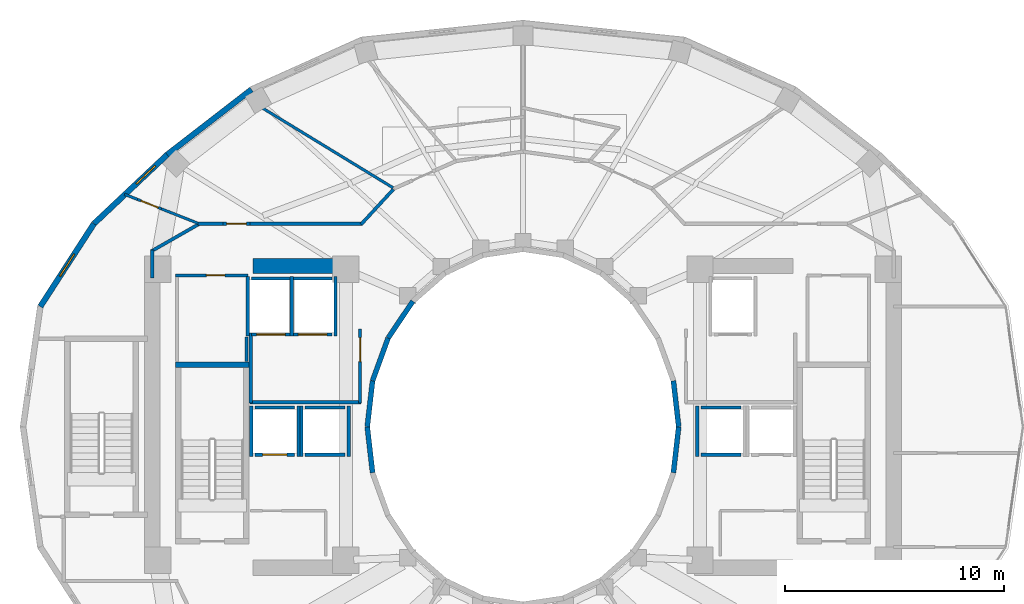
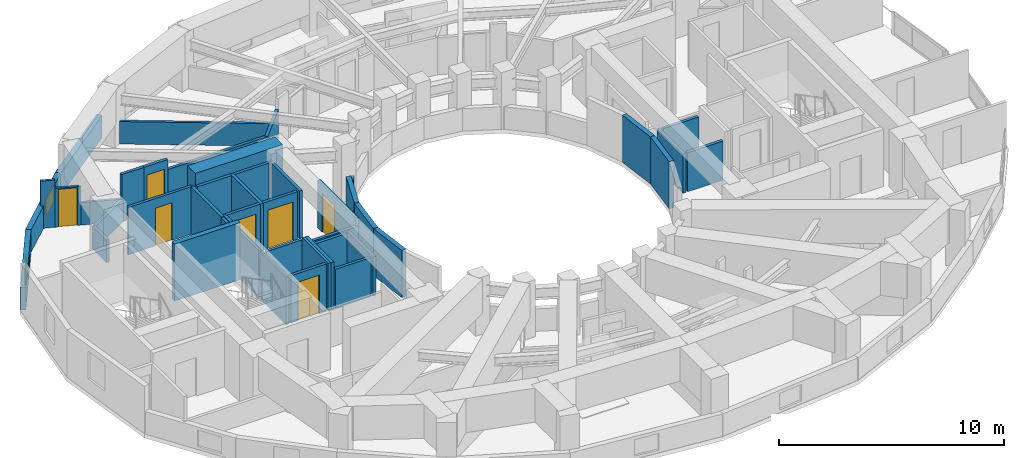
# One storey, part 7 of 13: 44 walls, 7 doors, 2 windows, 9 openings.
"""IFC4 building model written with IfcOpenShell, lengths in metres."""

from ifc_helpers import new_model, si_unit, direction, frame, frame_2d, origin, place, context, subcontext, project, spatial, rectangle, extrude, material, layer, layer_set, type_object, element, fill, save


model = new_model("IFC4")

# Units and contexts
model_context = context("Model", 3, precision=1e-05, world=origin(), true_north=direction((0.0, 1.0)))
body_context = subcontext(model_context, "Body", "Model", "MODEL_VIEW")
ifc_project = project(units=[si_unit("LENGTHUNIT", "METRE"), si_unit("AREAUNIT", "SQUARE_METRE"), si_unit("VOLUMEUNIT", "CUBIC_METRE"), si_unit("PLANEANGLEUNIT", "RADIAN"), si_unit("MASSUNIT", "GRAM", prefix="KILO")], contexts=[model_context])

# Site, building, storey
site_placement = place(None, origin())
site = spatial("IfcSite", under=ifc_project, at=site_placement, CompositionType="ELEMENT")
building_placement = place(site_placement, origin())
building = spatial("IfcBuilding", under=site, at=building_placement, Name="Solvane Sanctuary Tower", CompositionType="ELEMENT")
storey_placement = place(building_placement, frame((0.0, 0.0, 149.800048828125)))
storey = spatial("IfcBuildingStorey", under=building, at=storey_placement, Name="L45", CompositionType="ELEMENT", Elevation=149.800048828125)

# Walls
ifc_material_1 = material(Name="Concrete C60/75", Category="concrete")
ifc_layer_1 = layer(ifc_material_1, 0.699951171875, Name="Concrete C60/75")
ifc_layer_set_1 = layer_set([ifc_layer_1], Name="Concrete C60/75")
wall_type_1 = type_object("IfcWallType", Name="Wall W-CORE-700", PredefinedType="SHEAR", material=ifc_layer_set_1)
wall_1_placement = place(storey_placement, frame((19.64990234375, 30.35009765625, 0.0), z_axis=(0.0, 0.0, 1.0), x_axis=(1.0, 0.0, 0.0)))
element("IfcWall", 1, at=wall_1_placement, inside=storey, type_object=wall_type_1, Name="L45 Core Shear Wall WC-N", PredefinedType="SHEAR", context=body_context, shape_type="SweptSolid", body=[
    extrude(rectangle(XDim=4.5, YDim=0.699951171875, at=frame_2d((2.25, 0.0))), origin(), (0.0, 0.0, 1.0), 3.099853515625),
])
ifc_material_2 = material(Name="Acoustic Gypsum Partition Board")
ifc_layer_2 = layer(ifc_material_2, 0.14990234375, Name="Acoustic Gypsum Partition Board")
ifc_layer_set_2 = layer_set([ifc_layer_2], Name="Acoustic Gypsum Partition Board")
wall_type_2 = type_object("IfcWallType", Name="Wall W-CORR-150", PredefinedType="PARTITIONING", material=ifc_layer_set_2)
wall_2_placement = place(storey_placement, frame((19.52001953125, 24.1201171875, 0.0), z_axis=(0.0, 0.0, 1.0), x_axis=(1.0, 0.0, 0.0)))
element("IfcWall", 2, at=wall_2_placement, inside=storey, type_object=wall_type_2, Name="L45 West Firefighting Lobby South Wall", PredefinedType="PARTITIONING", context=body_context, shape_type="SweptSolid", body=[
    extrude(rectangle(XDim=5.080078125, YDim=0.14990234375, at=frame_2d((2.5400390625, 0.0))), origin(), (0.0, 0.0, 1.0), 2.119873046875),
])
wall_3_placement = place(storey_placement, frame((19.550048828125, 24.080078125, 0.0), z_axis=(0.0, 0.0, 1.0), x_axis=(0.0, 1.0, 0.0)))
element("IfcWall", 3, at=wall_3_placement, inside=storey, type_object=wall_type_2, Name="L45 West Firefighting Lobby West Wall", PredefinedType="PARTITIONING", context=body_context, shape_type="SweptSolid", body=[
    extrude(rectangle(XDim=3.199951171875, YDim=0.14990234375, at=frame_2d((1.60009765625, 0.0))), origin(), (0.0, 0.0, 1.0), 2.574951171875),
])

# Wall, opening, door
wall_4_placement = place(storey_placement, frame((24.550048828125, 24.080078125, 0.0), z_axis=(0.0, 0.0, 1.0), x_axis=(0.0, 1.0, 0.0)))
wall_4 = element("IfcWall", 4, at=wall_4_placement, inside=storey, type_object=wall_type_2, Name="L45 West Firefighting Lobby East Wall", PredefinedType="PARTITIONING", context=body_context, shape_type="SweptSolid", body=[
    extrude(rectangle(XDim=3.39990234375, YDim=0.14990234375, at=frame_2d((1.699951171875, 0.0))), origin(), (0.0, 0.0, 1.0), 2.574951171875),
])
opening_1_placement = place(wall_4_placement, frame((1.893798828125, 0.0, 0.0)))
opening_1 = element("IfcOpeningElement", 5, at=opening_1_placement, cuts=wall_4, Name="Opening D-L45-04", PredefinedType="OPENING", context=body_context, shape_type="SweptSolid", body=[
    extrude(rectangle(XDim=1.10009765625, YDim=2.10009765625, at=frame_2d((0.550048828125, 1.050048828125))), frame((0.0, 0.0849609375, 0.0), z_axis=(0.0, -1.0, 0.0), x_axis=(1.0, 0.0, 0.0)), (0.0, 0.0, 1.0), 0.169921875),
])
ifc_material_3 = material(Name="Architectural Stainless Steel 316", Category="steel")
door_type_1 = type_object("IfcDoorType", Name="Door D-FFL", OperationType="NOTDEFINED", PredefinedType="DOOR", material=ifc_material_3)
door_1_placement = place(opening_1_placement, origin())
door_1 = element("IfcDoor", 6, at=door_1_placement, inside=storey, type_object=door_type_1, Name="L45 West Firefighting Lobby Fire Door", OperationType="SINGLE_SWING_RIGHT", OverallHeight=2.10009765625, OverallWidth=1.10009765625, PredefinedType="DOOR", context=body_context, shape_type="SweptSolid", body=[
    extrude(rectangle(XDim=1.10009765625, YDim=2.10009765625, at=frame_2d((0.550048828125, 1.050048828125))), frame((0.0, 0.02490234375, 0.0), z_axis=(0.0, -1.0, 0.0), x_axis=(1.0, 0.0, 0.0)), (0.0, 0.0, 1.0), 0.050048828125),
])
fill(opening_1, door_1)

# Walls
wall_5_placement = place(storey_placement, frame((15.050048828125, 29.800048828125, 0.0), z_axis=(0.0, 0.0, 1.0), x_axis=(0.0, 1.0, 0.0)))
element("IfcWall", 7, at=wall_5_placement, inside=storey, type_object=wall_type_2, Name="L45 NW Corner Closer 2", PredefinedType="PARTITIONING", context=body_context, shape_type="SweptSolid", body=[
    extrude(rectangle(XDim=1.2900390625, YDim=0.14990234375, at=frame_2d((0.64501953125, 0.0))), origin(), (0.0, 0.0, 1.0), 1.219970703125),
])
wall_6_placement = place(storey_placement, frame((26.07177734375, 33.855712890625, 0.0), z_axis=(0.0, 0.0, 1.0), x_axis=(-0.677579737957, -0.735449317567, 0.0)))
element("IfcWall", 8, at=wall_6_placement, inside=storey, type_object=wall_type_2, Name="L45 NW Corner Throat Wall", PredefinedType="PARTITIONING", context=body_context, shape_type="SweptSolid", body=[
    extrude(rectangle(XDim=2.172607421875, YDim=0.14990234375, at=frame_2d((1.08642578125, 0.0))), origin(), (0.0, 0.0, 1.0), 2.01904296875),
])
wall_7_placement = place(storey_placement, frame((17.14990234375, 32.280029296875, 0.0), z_axis=(0.0, 0.0, 1.0), x_axis=(1.0, 0.0, 0.0)))
element("IfcWall", 9, at=wall_7_placement, inside=storey, type_object=wall_type_2, Name="L45 NW Corner Corridor Wall", PredefinedType="PARTITIONING", context=body_context, shape_type="SweptSolid", body=[
    extrude(rectangle(XDim=1.14013671875, YDim=0.14990234375, at=frame_2d((0.570068359375, 0.0))), origin(), (0.0, 0.0, 1.0), 2.574951171875),
])

# Wall, opening, door
wall_8_placement = place(storey_placement, frame((18.2900390625, 32.280029296875, 0.0), z_axis=(0.0, 0.0, 1.0), x_axis=(1.0, 0.0, 0.0)))
wall_8 = element("IfcWall", 10, at=wall_8_placement, inside=storey, type_object=wall_type_2, Name="L45 NW Corner Corridor Wall", PredefinedType="PARTITIONING", context=body_context, shape_type="SweptSolid", body=[
    extrude(rectangle(XDim=1.219970703125, YDim=0.14990234375, at=frame_2d((0.60986328125, 0.0))), origin(), (0.0, 0.0, 1.0), 2.574951171875),
])
opening_2_placement = place(wall_8_placement, frame((0.159912109375, 0.0, 0.0)))
opening_2 = element("IfcOpeningElement", 11, at=opening_2_placement, cuts=wall_8, Name="Opening D-L45-15", PredefinedType="OPENING", context=body_context, shape_type="SweptSolid", body=[
    extrude(rectangle(XDim=0.89990234375, YDim=2.10009765625, at=frame_2d((0.449951171875, 1.050048828125))), frame((0.0, 0.0849609375, 0.0), z_axis=(0.0, -1.0, 0.0), x_axis=(1.0, 0.0, 0.0)), (0.0, 0.0, 1.0), 0.169921875),
])
ifc_material_4 = material(Name="Engineered Tropical Hardwood", Category="wood")
door_type_2 = type_object("IfcDoorType", Name="Door D-WET-900", OperationType="NOTDEFINED", PredefinedType="DOOR", material=ifc_material_4)
door_2_placement = place(opening_2_placement, origin())
door_2 = element("IfcDoor", 12, at=door_2_placement, inside=storey, type_object=door_type_2, Name="L45 NW Corner Salon Door", OperationType="SINGLE_SWING_LEFT", OverallHeight=2.10009765625, OverallWidth=0.89990234375, PredefinedType="DOOR", context=body_context, shape_type="SweptSolid", body=[
    extrude(rectangle(XDim=0.89990234375, YDim=2.10009765625, at=frame_2d((0.449951171875, 1.050048828125))), frame((0.0, 0.02490234375, 0.0), z_axis=(0.0, -1.0, 0.0), x_axis=(1.0, 0.0, 0.0)), (0.0, 0.0, 1.0), 0.050048828125),
])
fill(opening_2, door_2)

# Walls
wall_9_placement = place(storey_placement, frame((19.510009765625, 32.280029296875, 0.0), z_axis=(0.0, 0.0, 1.0), x_axis=(1.0, 0.0, 0.0)))
element("IfcWall", 13, at=wall_9_placement, inside=storey, type_object=wall_type_2, Name="L45 NW Corner Corridor Wall", PredefinedType="PARTITIONING", context=body_context, shape_type="SweptSolid", body=[
    extrude(rectangle(XDim=5.159912109375, YDim=0.14990234375, at=frame_2d((2.580078125, 0.0))), origin(), (0.0, 0.0, 1.0), 2.01904296875),
])
wall_10_placement = place(storey_placement, frame((17.243408203125, 32.3046875, 0.0), z_axis=(0.0, 0.0, 1.0), x_axis=(-0.867991349648, -0.496579315857, 0.0)))
element("IfcWall", 14, at=wall_10_placement, inside=storey, type_object=wall_type_2, Name="L45 NW Corner Wing Wall", PredefinedType="PARTITIONING", context=body_context, shape_type="SweptSolid", body=[
    extrude(rectangle(XDim=2.56689453125, YDim=0.14990234375, at=frame_2d((1.283447265625, 0.0))), origin(), (0.0, 0.0, 1.0), 1.219970703125),
])
ifc_material_5 = material(Name="Precast concrete C40/50", Category="concrete")
ifc_layer_3 = layer(ifc_material_5, 0.260009765625, Name="Precast concrete C40/50")
ifc_layer_set_3 = layer_set([ifc_layer_3], Name="Precast concrete C40/50")
wall_type_3 = type_object("IfcWallType", Name="Wall W-EXT-250", PredefinedType="STANDARD", material=ifc_layer_set_3)
wall_11_placement = place(storey_placement, frame((19.5869140625, 38.41943359375, 0.0), z_axis=(0.0, 0.0, 1.0), x_axis=(-0.791460185804, -0.611220724687, 0.0)))
element("IfcWall", 15, at=wall_11_placement, inside=storey, type_object=wall_type_3, Name="L45 Ceramic-Printed Facade Wall 08", PredefinedType="STANDARD", context=body_context, shape_type="SweptSolid", body=[
    extrude(rectangle(XDim=4.872314453125, YDim=0.260009765625, at=frame_2d((2.43603515625, 0.0))), origin(), (0.0, 0.0, 1.0), 1.219970703125),
])

# Wall, opening, window
wall_12_placement = place(storey_placement, frame((15.730712890625, 35.44140625, 0.0), z_axis=(0.0, 0.0, 1.0), x_axis=(-0.727667301037, -0.68593024354, 0.0)))
wall_12 = element("IfcWall", 16, at=wall_12_placement, inside=storey, type_object=wall_type_3, Name="L45 Ceramic-Printed Facade Wall 09", PredefinedType="STANDARD", context=body_context, shape_type="SweptSolid", body=[
    extrude(rectangle(XDim=4.603515625, YDim=0.260009765625, at=frame_2d((2.3017578125, 0.0))), origin(), (0.0, 0.0, 1.0), 1.219970703125),
])
opening_3_placement = place(wall_12_placement, frame((0.75146484375, 0.0, 0.14990234375)))
opening_3 = element("IfcOpeningElement", 17, at=opening_3_placement, cuts=wall_12, Name="Opening WN-OPER-1200", PredefinedType="OPENING", context=body_context, shape_type="SweptSolid", body=[
    extrude(rectangle(XDim=1.199951171875, YDim=0.89990234375, at=frame_2d((0.60009765625, 0.449951171875))), frame((0.0, 0.139892578125, 0.0), z_axis=(0.0, -1.0, 0.0), x_axis=(1.0, 0.0, 0.0)), (0.0, 0.0, 1.0), 0.280029296875),
])
ifc_material_6 = material(Name="Dark Ceramic-Fritted Low-E Glass", Category="glass")
window_type = type_object("IfcWindowType", Name="Window WN-OPER-1200", PartitioningType="SINGLE_PANEL", PredefinedType="WINDOW", material=ifc_material_6)
window_1_placement = place(opening_3_placement, origin())
window_1 = element("IfcWindow", 18, at=window_1_placement, inside=storey, type_object=window_type, Name="L45 Operable Facade Window 09", OverallHeight=0.89990234375, OverallWidth=1.199951171875, PartitioningType="SINGLE_PANEL", PredefinedType="WINDOW", context=body_context, shape_type="SweptSolid", body=[
    extrude(rectangle(XDim=1.199951171875, YDim=0.89990234375, at=frame_2d((0.60009765625, 0.449951171875))), frame((0.0, 0.030029296875, 0.0), z_axis=(0.0, -1.0, 0.0), x_axis=(1.0, 0.0, 0.0)), (0.0, 0.0, 1.0), 0.06005859375),
])
fill(opening_3, window_1)

wall_13_placement = place(storey_placement, frame((12.380859375, 32.28369140625, 0.0), z_axis=(0.0, 0.0, 1.0), x_axis=(-0.543358984534, -0.839500454989, 0.0)))
wall_13 = element("IfcWall", 19, at=wall_13_placement, inside=storey, type_object=wall_type_3, Name="L45 Ceramic-Printed Facade Wall 10", PredefinedType="STANDARD", context=body_context, shape_type="SweptSolid", body=[
    extrude(rectangle(XDim=4.51123046875, YDim=0.260009765625, at=frame_2d((2.255615234375, 0.0))), origin(), (0.0, 0.0, 1.0), 1.219970703125),
])
opening_4_placement = place(wall_13_placement, frame((1.655517578125, 0.0, 0.14990234375)))
opening_4 = element("IfcOpeningElement", 20, at=opening_4_placement, cuts=wall_13, Name="Opening WN-OPER-1200", PredefinedType="OPENING", context=body_context, shape_type="SweptSolid", body=[
    extrude(rectangle(XDim=1.199951171875, YDim=0.89990234375, at=frame_2d((0.60009765625, 0.449951171875))), frame((0.0, 0.139892578125, 0.0), z_axis=(0.0, -1.0, 0.0), x_axis=(1.0, 0.0, 0.0)), (0.0, 0.0, 1.0), 0.280029296875),
])
window_2_placement = place(opening_4_placement, origin())
window_2 = element("IfcWindow", 21, at=window_2_placement, inside=storey, type_object=window_type, Name="L45 Operable Facade Window 10", OverallHeight=0.89990234375, OverallWidth=1.199951171875, PartitioningType="SINGLE_PANEL", PredefinedType="WINDOW", context=body_context, shape_type="SweptSolid", body=[
    extrude(rectangle(XDim=1.199951171875, YDim=0.89990234375, at=frame_2d((0.60009765625, 0.449951171875))), frame((0.0, 0.030029296875, 0.0), z_axis=(0.0, -1.0, 0.0), x_axis=(1.0, 0.0, 0.0)), (0.0, 0.0, 1.0), 0.06005859375),
])
fill(opening_4, window_2)

# Walls
ifc_layer_4 = layer(ifc_material_5, 0.22998046875, Name="Precast concrete C40/50")
ifc_layer_set_4 = layer_set([ifc_layer_4], Name="Precast concrete C40/50")
wall_type_4 = type_object("IfcWallType", Name="Wall W-EXT-SP220", PredefinedType="STANDARD", material=ifc_layer_set_4)
wall_14_placement = place(storey_placement, frame((39.1201171875, 23.0, 0.0), z_axis=(0.0, 0.0, 1.0), x_axis=(-0.114711713601, 0.993398823617, 0.0)))
element("IfcWall", 22, at=wall_14_placement, inside=storey, type_object=wall_type_4, Name="L45 Central Light-Well Wall 00", PredefinedType="STANDARD", context=body_context, shape_type="SweptSolid", body=[
    extrude(rectangle(XDim=2.115478515625, YDim=0.22998046875, at=frame_2d((1.0576171875, 0.0))), origin(), (0.0, 0.0, 1.0), 2.56005859375),
])
wall_15_placement = place(storey_placement, frame((26.96533203125, 28.74169921875, 0.0), z_axis=(0.0, 0.0, 1.0), x_axis=(-0.558197800898, -0.829707909492, 0.0)))
element("IfcWall", 23, at=wall_15_placement, inside=storey, type_object=wall_type_4, Name="L45 Central Light-Well Wall 09", PredefinedType="STANDARD", context=body_context, shape_type="SweptSolid", body=[
    extrude(rectangle(XDim=2.02685546875, YDim=0.22998046875, at=frame_2d((1.013427734375, 0.0))), origin(), (0.0, 0.0, 1.0), 1.219970703125),
])
wall_16_placement = place(storey_placement, frame((25.833984375, 27.06005859375, 0.0), z_axis=(0.0, 0.0, 1.0), x_axis=(-0.341423187295, -0.93990968033, 0.0)))
element("IfcWall", 24, at=wall_16_placement, inside=storey, type_object=wall_type_4, Name="L45 Central Light-Well Wall 10", PredefinedType="STANDARD", context=body_context, shape_type="SweptSolid", body=[
    extrude(rectangle(XDim=2.083740234375, YDim=0.22998046875, at=frame_2d((1.0419921875, 0.0))), origin(), (0.0, 0.0, 1.0), 2.56005859375),
])
for number, where, z_axis, x_axis, name in (
    (25, (25.12255859375, 25.1015625, 0.0), (0.0, 0.0, 1.0), (-0.114711713601, -0.993398823617, 0.0), "L45 Central Light-Well Wall 11"),
    (26, (24.8798828125, 23.0, 0.0), (0.0, 0.0, 1.0), (0.114711713601, -0.993398823617, 0.0), "L45 Central Light-Well Wall 12"),
    (27, (38.87744140625, 20.8984375, 0.0), (0.0, 0.0, 1.0), (0.114711713601, 0.993398823617, 0.0), "L45 Central Light-Well Wall 23"),
):
    element("IfcWall", number, at=place(storey_placement, frame(where, z_axis=z_axis, x_axis=x_axis)), inside=storey, type_object=wall_type_4, Name=name, PredefinedType="STANDARD", context=body_context, shape_type="SweptSolid", body=[
        extrude(rectangle(XDim=2.115478515625, YDim=0.22998046875, at=frame_2d((1.0576171875, 0.0))), origin(), (0.0, 0.0, 1.0), 2.56005859375),
    ])
ifc_layer_5 = layer(ifc_material_2, 0.1201171875, Name="Acoustic Gypsum Partition Board")
ifc_layer_set_5 = layer_set([ifc_layer_5], Name="Acoustic Gypsum Partition Board")
wall_type_5 = type_object("IfcWallType", Name="Wall W-MOV-100", PredefinedType="MOVABLE", material=ifc_layer_set_5)
wall_17_placement = place(storey_placement, frame((17.24658203125, 32.26171875, 0.0), z_axis=(0.0, 0.0, 1.0), x_axis=(-0.930227502765, 0.36698336897, 0.0)))
element("IfcWall", 28, at=wall_17_placement, inside=storey, type_object=wall_type_5, Name="L45 NW Corner Suite Partition", PredefinedType="MOVABLE", context=body_context, shape_type="SweptSolid", body=[
    extrude(rectangle(XDim=1.911865234375, YDim=0.1201171875, at=frame_2d((0.9560546875, 0.0))), origin(), (0.0, 0.0, 1.0), 1.219970703125),
])

# Wall, opening, door
wall_18_placement = place(storey_placement, frame((15.468017578125, 32.96337890625, 0.0), z_axis=(0.0, 0.0, 1.0), x_axis=(-0.93017960314, 0.367104761482, 0.0)))
wall_18 = element("IfcWall", 29, at=wall_18_placement, inside=storey, type_object=wall_type_5, Name="L45 NW Corner Suite Partition", PredefinedType="MOVABLE", context=body_context, shape_type="SweptSolid", body=[
    extrude(rectangle(XDim=1.169921875, YDim=0.1201171875, at=frame_2d((0.5849609375, 0.0))), origin(), (0.0, 0.0, 1.0), 2.10986328125),
])
opening_5_placement = place(wall_18_placement, frame((0.159912109375, 0.0, 0.0)))
opening_5 = element("IfcOpeningElement", 30, at=opening_5_placement, cuts=wall_18, Name="Opening D-L45-14", PredefinedType="OPENING", context=body_context, shape_type="SweptSolid", body=[
    extrude(rectangle(XDim=0.85009765625, YDim=2.050048828125, at=frame_2d((0.425048828125, 1.02490234375))), frame((0.0, 0.070068359375, 0.0), z_axis=(0.0, -1.0, 0.0), x_axis=(1.0, 0.0, 0.0)), (0.0, 0.0, 1.0), 0.14013671875),
])
door_type_3 = type_object("IfcDoorType", Name="Door D-RISER", OperationType="NOTDEFINED", PredefinedType="DOOR", material=ifc_material_3)
door_3_placement = place(opening_5_placement, origin())
door_3 = element("IfcDoor", 31, at=door_3_placement, inside=storey, type_object=door_type_3, Name="L45 NW Corner Suite Door", OperationType="SINGLE_SWING_RIGHT", OverallHeight=2.050048828125, OverallWidth=0.85009765625, PredefinedType="DOOR", context=body_context, shape_type="SweptSolid", body=[
    extrude(rectangle(XDim=0.85009765625, YDim=2.050048828125, at=frame_2d((0.425048828125, 1.02490234375))), frame((0.0, 0.02490234375, 0.0), z_axis=(0.0, -1.0, 0.0), x_axis=(1.0, 0.0, 0.0)), (0.0, 0.0, 1.0), 0.050048828125),
])
fill(opening_5, door_3)

# Walls
wall_19_placement = place(storey_placement, frame((14.3798828125, 33.392822265625, 0.0), z_axis=(0.0, 0.0, 1.0), x_axis=(-0.9301788827, 0.367106586945, 0.0)))
element("IfcWall", 32, at=wall_19_placement, inside=storey, type_object=wall_type_5, Name="L45 NW Corner Suite Partition", PredefinedType="MOVABLE", context=body_context, shape_type="SweptSolid", body=[
    extrude(rectangle(XDim=0.649169921875, YDim=0.1201171875, at=frame_2d((0.32470703125, 0.0))), origin(), (0.0, 0.0, 1.0), 2.574951171875),
])
ifc_layer_6 = layer(ifc_material_2, 0.125, Name="Acoustic Gypsum Partition Board")
ifc_layer_set_6 = layer_set([ifc_layer_6], Name="Acoustic Gypsum Partition Board")
wall_type_6 = type_object("IfcWallType", Name="Wall W-PART-125", PredefinedType="PARTITIONING", material=ifc_layer_set_6)
wall_20_placement = place(storey_placement, frame((26.06201171875, 33.925048828125, 0.0), z_axis=(0.0, 0.0, 1.0), x_axis=(-0.853440334679, 0.521190555501, 0.0)))
element("IfcWall", 33, at=wall_20_placement, inside=storey, type_object=wall_type_6, Name="L45 Radial Compartment Wall 120", PredefinedType="PARTITIONING", context=body_context, shape_type="SweptSolid", body=[
    extrude(rectangle(XDim=6.966064453125, YDim=0.125, at=frame_2d((3.48291015625, 0.0))), origin(), (0.0, 0.0, 1.0), 1.219970703125),
])

# Wall, opening, door
ifc_material_7 = material(Name="Concrete C50/60", Category="concrete")
ifc_layer_7 = layer(ifc_material_7, 0.14990234375, Name="Concrete C50/60")
ifc_layer_set_7 = layer_set([ifc_layer_7], Name="Concrete C50/60")
wall_type_7 = type_object("IfcWallType", Name="Wall W-SHAFT-150", PredefinedType="SOLIDWALL", material=ifc_layer_set_7)
wall_21_placement = place(storey_placement, frame((19.739990234375, 21.719970703125, 0.0), z_axis=(0.0, 0.0, 1.0), x_axis=(1.0, 0.0, 0.0)))
wall_21 = element("IfcWall", 34, at=wall_21_placement, inside=storey, type_object=wall_type_7, Name="L45 PM-1 Lift Shaft Wall F", PredefinedType="SOLIDWALL", context=body_context, shape_type="SweptSolid", body=[
    extrude(rectangle(XDim=1.820068359375, YDim=0.14990234375, at=frame_2d((0.91015625, 0.0))), origin(), (0.0, 0.0, 1.0), 2.574951171875),
])
opening_6_placement = place(wall_21_placement, frame((0.360107421875, 0.0, 0.0)))
opening_6 = element("IfcOpeningElement", 35, at=opening_6_placement, cuts=wall_21, Name="Opening LD-L45-01", PredefinedType="OPENING", context=body_context, shape_type="SweptSolid", body=[
    extrude(rectangle(XDim=1.10009765625, YDim=2.10009765625, at=frame_2d((0.550048828125, 1.050048828125))), frame((0.0, 0.0849609375, 0.0), z_axis=(0.0, -1.0, 0.0), x_axis=(1.0, 0.0, 0.0)), (0.0, 0.0, 1.0), 0.169921875),
])
door_type_4 = type_object("IfcDoorType", Name="Door LD-PASS-1100", OperationType="NOTDEFINED", PredefinedType="DOOR", material=ifc_material_3)
door_4_placement = place(opening_6_placement, origin())
door_4 = element("IfcDoor", 36, at=door_4_placement, inside=storey, type_object=door_type_4, Name="L45 PM-1 Lift Landing Door", OperationType="DOUBLE_DOOR_SLIDING", OverallHeight=2.10009765625, OverallWidth=1.10009765625, PredefinedType="DOOR", context=body_context, shape_type="SweptSolid", body=[
    extrude(rectangle(XDim=1.10009765625, YDim=2.10009765625, at=frame_2d((0.550048828125, 1.050048828125))), frame((0.0, 0.02490234375, 0.0), z_axis=(0.0, -1.0, 0.0), x_axis=(1.0, 0.0, 0.0)), (0.0, 0.0, 1.0), 0.050048828125),
])
fill(opening_6, door_4)

# Walls
wall_22_placement = place(storey_placement, frame((19.739990234375, 23.8798828125, 0.0), z_axis=(0.0, 0.0, 1.0), x_axis=(1.0, 0.0, 0.0)))
element("IfcWall", 37, at=wall_22_placement, inside=storey, type_object=wall_type_7, Name="L45 PM-1 Lift Shaft Wall B", PredefinedType="SOLIDWALL", context=body_context, shape_type="SweptSolid", body=[
    extrude(rectangle(XDim=1.820068359375, YDim=0.14990234375, at=frame_2d((0.91015625, 0.0))), origin(), (0.0, 0.0, 1.0), 2.574951171875),
])
for number, where, z_axis, x_axis, name in (
    (38, (19.570068359375, 21.639892578125, 0.0), (0.0, 0.0, 1.0), (0.0, 1.0, 0.0), "L45 PM-1 Lift Shaft Wall S1"),
    (39, (21.72998046875, 21.639892578125, 0.0), (0.0, 0.0, 1.0), (0.0, 1.0, 0.0), "L45 PM-1 Lift Shaft Wall S2"),
):
    element("IfcWall", number, at=place(storey_placement, frame(where, z_axis=z_axis, x_axis=x_axis)), inside=storey, type_object=wall_type_7, Name=name, PredefinedType="SOLIDWALL", context=body_context, shape_type="SweptSolid", body=[
        extrude(rectangle(XDim=2.320068359375, YDim=0.14990234375, at=frame_2d((1.16015625, 0.0))), origin(), (0.0, 0.0, 1.0), 2.574951171875),
    ])
for number, where, z_axis, x_axis, name in (
    (40, (22.0400390625, 21.719970703125, 0.0), (0.0, 0.0, 1.0), (1.0, 0.0, 0.0), "L45 PH-1 Lift Shaft Wall F"),
    (41, (22.0400390625, 23.8798828125, 0.0), (0.0, 0.0, 1.0), (1.0, 0.0, 0.0), "L45 PH-1 Lift Shaft Wall B"),
):
    element("IfcWall", number, at=place(storey_placement, frame(where, z_axis=z_axis, x_axis=x_axis)), inside=storey, type_object=wall_type_7, Name=name, PredefinedType="SOLIDWALL", context=body_context, shape_type="SweptSolid", body=[
        extrude(rectangle(XDim=1.820068359375, YDim=0.14990234375, at=frame_2d((0.91015625, 0.0))), origin(), (0.0, 0.0, 1.0), 2.119873046875),
    ])
wall_23_placement = place(storey_placement, frame((21.8701171875, 21.639892578125, 0.0), z_axis=(0.0, 0.0, 1.0), x_axis=(0.0, 1.0, 0.0)))
element("IfcWall", 42, at=wall_23_placement, inside=storey, type_object=wall_type_7, Name="L45 PH-1 Lift Shaft Wall S1", PredefinedType="SOLIDWALL", context=body_context, shape_type="SweptSolid", body=[
    extrude(rectangle(XDim=2.320068359375, YDim=0.14990234375, at=frame_2d((1.16015625, 0.0))), origin(), (0.0, 0.0, 1.0), 2.574951171875),
])
wall_24_placement = place(storey_placement, frame((24.030029296875, 21.639892578125, 0.0), z_axis=(0.0, 0.0, 1.0), x_axis=(0.0, 1.0, 0.0)))
element("IfcWall", 43, at=wall_24_placement, inside=storey, type_object=wall_type_7, Name="L45 PH-1 Lift Shaft Wall S2", PredefinedType="SOLIDWALL", context=body_context, shape_type="SweptSolid", body=[
    extrude(rectangle(XDim=2.320068359375, YDim=0.14990234375, at=frame_2d((1.16015625, 0.0))), origin(), (0.0, 0.0, 1.0), 2.119873046875),
])
for number, where, z_axis, x_axis, name in (
    (44, (40.139892578125, 21.719970703125, 0.0), (0.0, 0.0, 1.0), (1.0, 0.0, 0.0), "L45 PH-2 Lift Shaft Wall F"),
    (45, (40.139892578125, 23.8798828125, 0.0), (0.0, 0.0, 1.0), (1.0, 0.0, 0.0), "L45 PH-2 Lift Shaft Wall B"),
):
    element("IfcWall", number, at=place(storey_placement, frame(where, z_axis=z_axis, x_axis=x_axis)), inside=storey, type_object=wall_type_7, Name=name, PredefinedType="SOLIDWALL", context=body_context, shape_type="SweptSolid", body=[
        extrude(rectangle(XDim=1.820068359375, YDim=0.14990234375, at=frame_2d((0.91015625, 0.0))), origin(), (0.0, 0.0, 1.0), 2.119873046875),
    ])
wall_25_placement = place(storey_placement, frame((39.969970703125, 21.639892578125, 0.0), z_axis=(0.0, 0.0, 1.0), x_axis=(0.0, 1.0, 0.0)))
element("IfcWall", 46, at=wall_25_placement, inside=storey, type_object=wall_type_7, Name="L45 PH-2 Lift Shaft Wall S1", PredefinedType="SOLIDWALL", context=body_context, shape_type="SweptSolid", body=[
    extrude(rectangle(XDim=2.320068359375, YDim=0.14990234375, at=frame_2d((1.16015625, 0.0))), origin(), (0.0, 0.0, 1.0), 2.119873046875),
])

# Wall, opening, door
wall_26_placement = place(storey_placement, frame((19.590087890625, 27.219970703125, 0.0), z_axis=(0.0, 0.0, 1.0), x_axis=(1.0, 0.0, 0.0)))
wall_26 = element("IfcWall", 47, at=wall_26_placement, inside=storey, type_object=wall_type_7, Name="L45 FFL-1 Lift Shaft Wall F", PredefinedType="SOLIDWALL", context=body_context, shape_type="SweptSolid", body=[
    extrude(rectangle(XDim=1.760009765625, YDim=0.14990234375, at=frame_2d((0.8798828125, 0.0))), origin(), (0.0, 0.0, 1.0), 2.574951171875),
])
opening_7_placement = place(wall_26_placement, frame((0.22998046875, 0.0, 0.0)))
opening_7 = element("IfcOpeningElement", 48, at=opening_7_placement, cuts=wall_26, Name="Opening LD-L45-03", PredefinedType="OPENING", context=body_context, shape_type="SweptSolid", body=[
    extrude(rectangle(XDim=1.300048828125, YDim=2.10009765625, at=frame_2d((0.64990234375, 1.050048828125))), frame((0.0, 0.0849609375, 0.0), z_axis=(0.0, -1.0, 0.0), x_axis=(1.0, 0.0, 0.0)), (0.0, 0.0, 1.0), 0.169921875),
])
door_type_5 = type_object("IfcDoorType", Name="Door LD-FFL-1300", OperationType="NOTDEFINED", PredefinedType="DOOR", material=ifc_material_3)
door_5_placement = place(opening_7_placement, origin())
door_5 = element("IfcDoor", 49, at=door_5_placement, inside=storey, type_object=door_type_5, Name="L45 FFL-1 Lift Landing Door", OperationType="DOUBLE_DOOR_SLIDING", OverallHeight=2.10009765625, OverallWidth=1.300048828125, PredefinedType="DOOR", context=body_context, shape_type="SweptSolid", body=[
    extrude(rectangle(XDim=1.300048828125, YDim=2.10009765625, at=frame_2d((0.64990234375, 1.050048828125))), frame((0.0, 0.02490234375, 0.0), z_axis=(0.0, -1.0, 0.0), x_axis=(1.0, 0.0, 0.0)), (0.0, 0.0, 1.0), 0.050048828125),
])
fill(opening_7, door_5)

# Walls
wall_27_placement = place(storey_placement, frame((19.590087890625, 29.780029296875, 0.0), z_axis=(0.0, 0.0, 1.0), x_axis=(1.0, 0.0, 0.0)))
element("IfcWall", 50, at=wall_27_placement, inside=storey, type_object=wall_type_7, Name="L45 FFL-1 Lift Shaft Wall B", PredefinedType="SOLIDWALL", context=body_context, shape_type="SweptSolid", body=[
    extrude(rectangle(XDim=1.760009765625, YDim=0.14990234375, at=frame_2d((0.8798828125, 0.0))), origin(), (0.0, 0.0, 1.0), 2.574951171875),
])
for number, where, z_axis, x_axis, name in (
    (51, (19.419921875, 27.139892578125, 0.0), (0.0, 0.0, 1.0), (0.0, 1.0, 0.0), "L45 FFL-1 Lift Shaft Wall S1"),
    (52, (21.425048828125, 27.139892578125, 0.0), (0.0, 0.0, 1.0), (0.0, 1.0, 0.0), "L45 FFL-1 Lift Shaft Wall S2"),
):
    element("IfcWall", number, at=place(storey_placement, frame(where, z_axis=z_axis, x_axis=x_axis)), inside=storey, type_object=wall_type_7, Name=name, PredefinedType="SOLIDWALL", context=body_context, shape_type="SweptSolid", body=[
        extrude(rectangle(XDim=2.72021484375, YDim=0.14990234375, at=frame_2d((1.360107421875, 0.0))), origin(), (0.0, 0.0, 1.0), 2.574951171875),
    ])

# Wall, opening, door
wall_28_placement = place(storey_placement, frame((21.5, 27.219970703125, 0.0), z_axis=(0.0, 0.0, 1.0), x_axis=(1.0, 0.0, 0.0)))
wall_28 = element("IfcWall", 53, at=wall_28_placement, inside=storey, type_object=wall_type_7, Name="L45 SVL-1 Lift Shaft Wall F", PredefinedType="SOLIDWALL", context=body_context, shape_type="SweptSolid", body=[
    extrude(rectangle(XDim=1.760009765625, YDim=0.14990234375, at=frame_2d((0.8798828125, 0.0))), origin(), (0.0, 0.0, 1.0), 2.574951171875),
])
opening_8_placement = place(wall_28_placement, frame((0.22998046875, 0.0, 0.0)))
opening_8 = element("IfcOpeningElement", 54, at=opening_8_placement, cuts=wall_28, Name="Opening LD-L45-04", PredefinedType="OPENING", context=body_context, shape_type="SweptSolid", body=[
    extrude(rectangle(XDim=1.300048828125, YDim=2.10009765625, at=frame_2d((0.64990234375, 1.050048828125))), frame((0.0, 0.0849609375, 0.0), z_axis=(0.0, -1.0, 0.0), x_axis=(1.0, 0.0, 0.0)), (0.0, 0.0, 1.0), 0.169921875),
])
door_6_placement = place(opening_8_placement, origin())
door_6 = element("IfcDoor", 55, at=door_6_placement, inside=storey, type_object=door_type_5, Name="L45 SVL-1 Lift Landing Door", OperationType="DOUBLE_DOOR_SLIDING", OverallHeight=2.10009765625, OverallWidth=1.300048828125, PredefinedType="DOOR", context=body_context, shape_type="SweptSolid", body=[
    extrude(rectangle(XDim=1.300048828125, YDim=2.10009765625, at=frame_2d((0.64990234375, 1.050048828125))), frame((0.0, 0.02490234375, 0.0), z_axis=(0.0, -1.0, 0.0), x_axis=(1.0, 0.0, 0.0)), (0.0, 0.0, 1.0), 0.050048828125),
])
fill(opening_8, door_6)

# Walls
wall_29_placement = place(storey_placement, frame((21.5, 29.780029296875, 0.0), z_axis=(0.0, 0.0, 1.0), x_axis=(1.0, 0.0, 0.0)))
element("IfcWall", 56, at=wall_29_placement, inside=storey, type_object=wall_type_7, Name="L45 SVL-1 Lift Shaft Wall B", PredefinedType="SOLIDWALL", context=body_context, shape_type="SweptSolid", body=[
    extrude(rectangle(XDim=1.760009765625, YDim=0.14990234375, at=frame_2d((0.8798828125, 0.0))), origin(), (0.0, 0.0, 1.0), 2.574951171875),
])
wall_30_placement = place(storey_placement, frame((23.429931640625, 27.139892578125, 0.0), z_axis=(0.0, 0.0, 1.0), x_axis=(0.0, 1.0, 0.0)))
element("IfcWall", 57, at=wall_30_placement, inside=storey, type_object=wall_type_7, Name="L45 SVL-1 Lift Shaft Wall S2", PredefinedType="SOLIDWALL", context=body_context, shape_type="SweptSolid", body=[
    extrude(rectangle(XDim=2.72021484375, YDim=0.14990234375, at=frame_2d((1.360107421875, 0.0))), origin(), (0.0, 0.0, 1.0), 2.574951171875),
])
ifc_layer_8 = layer(ifc_material_7, 0.25, Name="Concrete C50/60")
ifc_layer_set_8 = layer_set([ifc_layer_8], Name="Concrete C50/60")
wall_type_8 = type_object("IfcWallType", Name="Wall W-SHAFT-250", PredefinedType="SOLIDWALL", material=ifc_layer_set_8)
wall_31_placement = place(storey_placement, frame((16.10498046875, 25.830078125, 0.0), z_axis=(0.0, 0.0, 1.0), x_axis=(1.0, 0.0, 0.0)))
element("IfcWall", 58, at=wall_31_placement, inside=storey, type_object=wall_type_8, Name="L45 ST-1 Load-Bearing Shaft Wall N", PredefinedType="SOLIDWALL", context=body_context, shape_type="SweptSolid", body=[
    extrude(rectangle(XDim=3.3701171875, YDim=0.25, at=frame_2d((1.68505859375, 0.0))), origin(), (0.0, 0.0, 1.0), 3.099853515625),
])

# Wall, opening, door
ifc_layer_9 = layer(ifc_material_2, 0.139892578125, Name="Acoustic Gypsum Partition Board")
ifc_layer_set_9 = layer_set([ifc_layer_9], Name="Acoustic Gypsum Partition Board")
wall_type_9 = type_object("IfcWallType", Name="Wall W-WET-140", PredefinedType="PLUMBINGWALL", material=ifc_layer_set_9)
wall_32_placement = place(storey_placement, frame((16.1201171875, 29.919921875, 0.0), z_axis=(0.0, 0.0, 1.0), x_axis=(1.0, 0.0, 0.0)))
wall_32 = element("IfcWall", 59, at=wall_32_placement, inside=storey, type_object=wall_type_9, Name="L45 Core Service Front Wall KW0", PredefinedType="PLUMBINGWALL", context=body_context, shape_type="SweptSolid", body=[
    extrude(rectangle(XDim=3.2998046875, YDim=0.139892578125, at=frame_2d((1.64990234375, 0.0))), origin(), (0.0, 0.0, 1.0), 2.574951171875),
])
opening_9_placement = place(wall_32_placement, frame((1.3994140625, 0.0, 0.0)))
opening_9 = element("IfcOpeningElement", 60, at=opening_9_placement, cuts=wall_32, Name="Opening D-L45-08", PredefinedType="OPENING", context=body_context, shape_type="SweptSolid", body=[
    extrude(rectangle(XDim=0.85009765625, YDim=2.050048828125, at=frame_2d((0.425048828125, 1.02490234375))), frame((0.0, 0.079833984375, 0.0), z_axis=(0.0, -1.0, 0.0), x_axis=(1.0, 0.0, 0.0)), (0.0, 0.0, 1.0), 0.159912109375),
])
door_7_placement = place(opening_9_placement, origin())
door_7 = element("IfcDoor", 61, at=door_7_placement, inside=storey, type_object=door_type_3, Name="L45 Core Service Room Door KW0-1", OperationType="SINGLE_SWING_RIGHT", OverallHeight=2.050048828125, OverallWidth=0.85009765625, PredefinedType="DOOR", context=body_context, shape_type="SweptSolid", body=[
    extrude(rectangle(XDim=0.85009765625, YDim=2.050048828125, at=frame_2d((0.425048828125, 1.02490234375))), frame((0.0, 0.02490234375, 0.0), z_axis=(0.0, -1.0, 0.0), x_axis=(1.0, 0.0, 0.0)), (0.0, 0.0, 1.0), 0.050048828125),
])
fill(opening_9, door_7)

# Wall
wall_33_placement = place(storey_placement, frame((19.360107421875, 25.97998046875, 0.0), z_axis=(0.0, 0.0, 1.0), x_axis=(0.0, 1.0, 0.0)))
element("IfcWall", 62, at=wall_33_placement, inside=storey, type_object=wall_type_9, Name="L45 Core Service Side Wall KW0-2", PredefinedType="PLUMBINGWALL", context=body_context, shape_type="SweptSolid", body=[
    extrude(rectangle(XDim=1.1201171875, YDim=0.139892578125, at=frame_2d((0.56005859375, 0.0))), origin(), (0.0, 0.0, 1.0), 2.574951171875),
])

save(model, "model.ifc")
